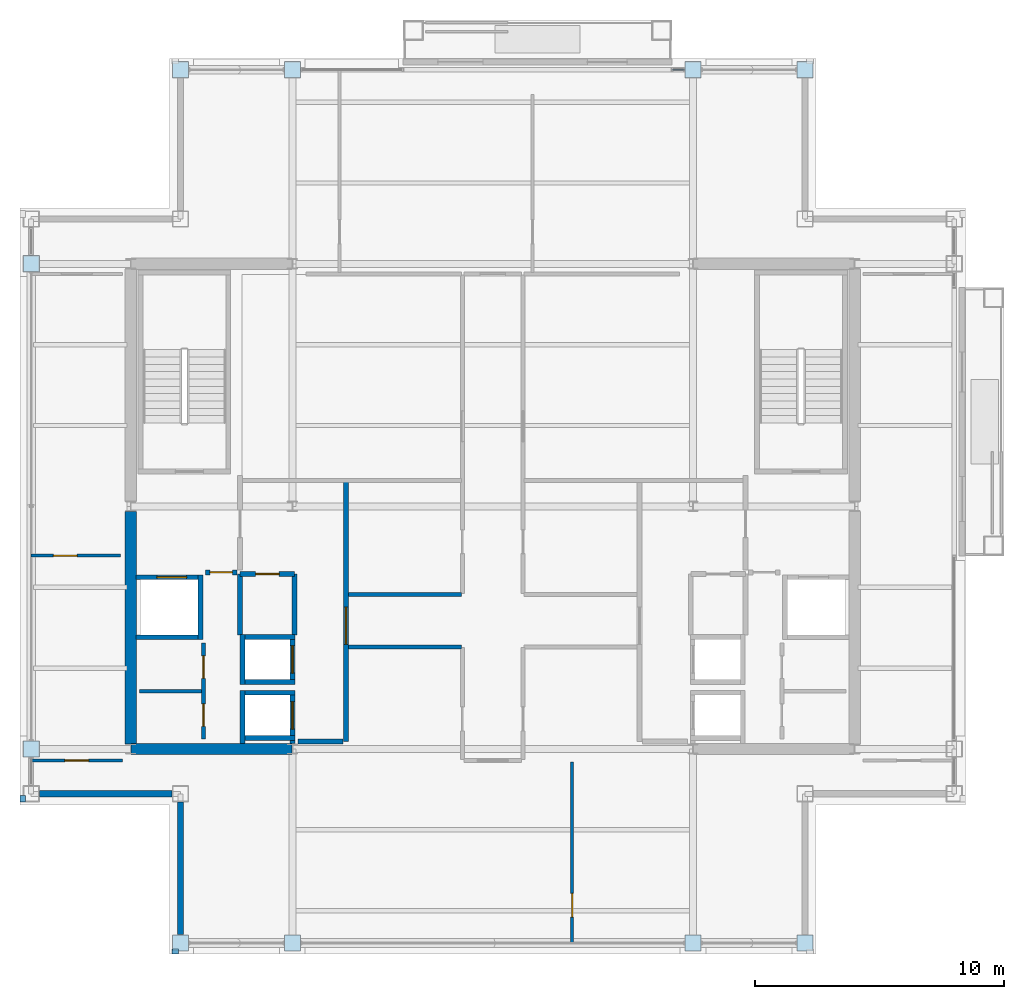
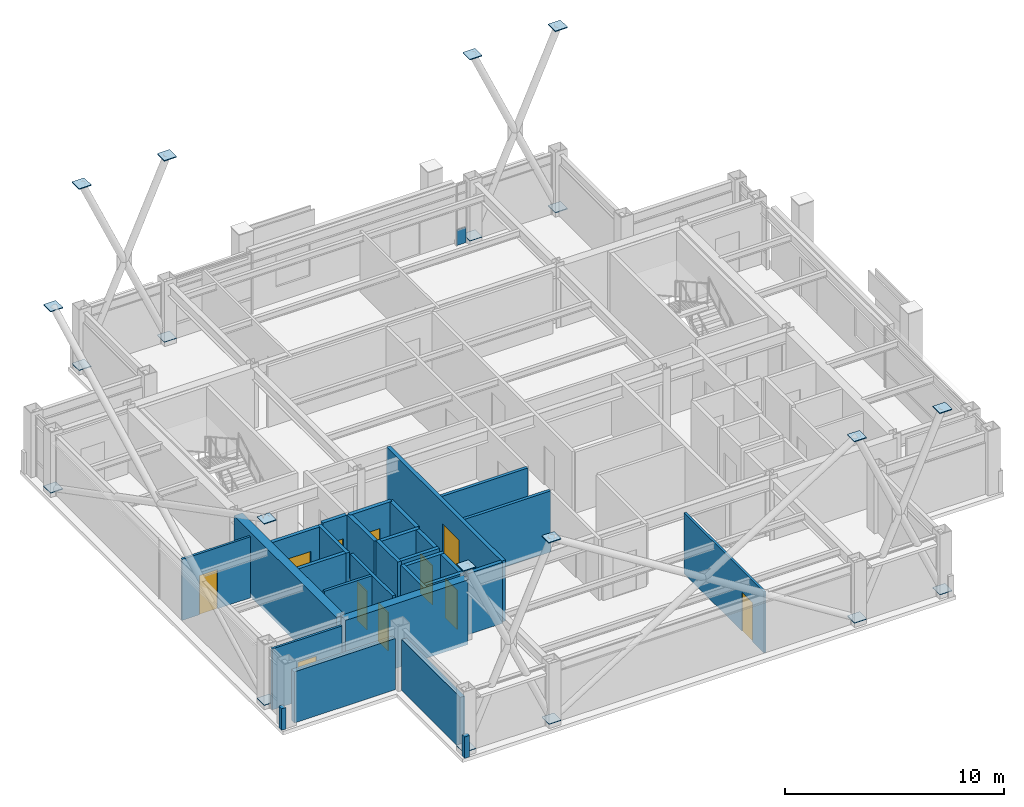
# One storey, part 23 of 28: 30 walls, 21 plates, 11 doors, 11 openings, 1 element without a shape of its own.
"""IFC4 building model written with IfcOpenShell, lengths in metres."""

from ifc_helpers import new_model, si_unit, direction, frame, frame_2d, origin, origin_2d, place, context, subcontext, project, spatial, rectangle, extrude, material, layer, layer_set, type_object, element, fill, aggregate, save


model = new_model("IFC4")

# Units and contexts
model_context = context("Model", 3, precision=1e-05, world=origin(), true_north=direction((0.0, 1.0)))
body_context = subcontext(model_context, "Body", "Model", "MODEL_VIEW")
ifc_project = project(units=[si_unit("LENGTHUNIT", "METRE"), si_unit("AREAUNIT", "SQUARE_METRE"), si_unit("VOLUMEUNIT", "CUBIC_METRE"), si_unit("PLANEANGLEUNIT", "RADIAN"), si_unit("MASSUNIT", "GRAM", prefix="KILO")], contexts=[model_context])

# Site, building, storey
site_placement = place(None, origin())
site = spatial("IfcSite", under=ifc_project, at=site_placement, CompositionType="ELEMENT")
building_placement = place(site_placement, origin())
building = spatial("IfcBuilding", under=site, at=building_placement, Name="Brelmoor Portico Tower", CompositionType="ELEMENT")
storey_placement = place(building_placement, frame((0.0, 0.0, 225.60009765625)))
storey = spatial("IfcBuildingStorey", under=building, at=storey_placement, Name="L59", CompositionType="ELEMENT", Elevation=225.60009765625)

# Plates
ifc_material_1 = material(Name="Steel Q355B", Category="steel")
ifc_layer_1 = layer(ifc_material_1, 0.044921875)
ifc_layer_set_1 = layer_set([ifc_layer_1], Name="Steel Q355B")
plate_type_1 = type_object("IfcPlateType", Name="PT-CAP-650", PredefinedType="SHEET", material=ifc_layer_set_1)
for number, where, z_axis, x_axis, name in (
    (1, (-12.550048828125, -17.550048828125, 0.2275390625), (0.0, 0.0, 1.0), (1.0, 0.0, 0.0), "L59 Continuous Mega-X Brace 133A Joint Cap Plate 1"),
    (2, (-8.050048828125, -17.550048828125, 10.327392578125), (0.0, 0.0, 1.0), (1.0, 0.0, 0.0), "L59 Continuous Mega-X Brace 133A Joint Cap Plate 2"),
    (3, (-8.050048828125, -17.550048828125, 0.2275390625), (0.0, 0.0, 1.0), (1.0, 0.0, 0.0), "L59 Split Mega-X Brace 133B1 Joint Cap Plate 1"),
    (4, (-12.550048828125, -17.550048828125, 10.327392578125), (0.0, 0.0, 1.0), (1.0, 0.0, 0.0), "L59 Split Mega-X Brace 133B2 Joint Cap Plate 2"),
    (5, (8.050048828125, -17.550048828125, 10.327392578125), (0.0, 0.0, 1.0), (1.0, 0.0, 0.0), "L59 Continuous Mega-X Brace 134A Joint Cap Plate 2"),
    (6, (8.050048828125, -17.550048828125, 0.2275390625), (0.0, 0.0, 1.0), (1.0, 0.0, 0.0), "L59 Split Mega-X Brace 134B1 Joint Cap Plate 1"),
    (7, (12.550048828125, -17.550048828125, 10.327392578125), (0.0, 0.0, 1.0), (1.0, 0.0, 0.0), "L59 Continuous Mega-X Brace 135A Joint Cap Plate 2"),
    (8, (12.550048828125, -17.550048828125, 0.2275390625), (0.0, 0.0, 1.0), (1.0, 0.0, 0.0), "L59 Split Mega-X Brace 135B1 Joint Cap Plate 1"),
    (9, (-12.550048828125, 17.550048828125, 0.2275390625), (0.0, 0.0, 1.0), (1.0, 0.0, 0.0), "L59 Continuous Mega-X Brace 136A Joint Cap Plate 1"),
    (10, (-8.050048828125, 17.550048828125, 10.327392578125), (0.0, 0.0, 1.0), (1.0, 0.0, 0.0), "L59 Continuous Mega-X Brace 136A Joint Cap Plate 2"),
    (11, (-8.050048828125, 17.550048828125, 0.2275390625), (0.0, 0.0, 1.0), (1.0, 0.0, 0.0), "L59 Split Mega-X Brace 136B1 Joint Cap Plate 1"),
    (12, (-12.550048828125, 17.550048828125, 10.327392578125), (0.0, 0.0, 1.0), (1.0, 0.0, 0.0), "L59 Split Mega-X Brace 136B2 Joint Cap Plate 2"),
    (13, (8.050048828125, 17.550048828125, 0.2275390625), (0.0, 0.0, 1.0), (1.0, 0.0, 0.0), "L59 Continuous Mega-X Brace 137A Joint Cap Plate 1"),
    (14, (12.550048828125, 17.550048828125, 10.327392578125), (0.0, 0.0, 1.0), (1.0, 0.0, 0.0), "L59 Continuous Mega-X Brace 137A Joint Cap Plate 2"),
    (15, (12.550048828125, 17.550048828125, 0.2275390625), (0.0, 0.0, 1.0), (1.0, 0.0, 0.0), "L59 Split Mega-X Brace 137B1 Joint Cap Plate 1"),
    (16, (8.050048828125, 17.550048828125, 10.327392578125), (0.0, 0.0, 1.0), (1.0, 0.0, 0.0), "L59 Split Mega-X Brace 137B2 Joint Cap Plate 2"),
    (17, (-18.550048828125, -9.75, 0.2275390625), (0.0, 0.0, 1.0), (1.0, 0.0, 0.0), "L59 Continuous Mega-X Brace 138A Joint Cap Plate 1"),
    (18, (-18.550048828125, 9.75, 10.327392578125), (0.0, 0.0, 1.0), (1.0, 0.0, 0.0), "L59 Continuous Mega-X Brace 138A Joint Cap Plate 2"),
    (19, (-18.550048828125, 9.75, 0.2275390625), (0.0, 0.0, 1.0), (1.0, 0.0, 0.0), "L59 Split Mega-X Brace 138B1 Joint Cap Plate 1"),
    (20, (-18.550048828125, -9.75, 10.327392578125), (0.0, 0.0, 1.0), (1.0, 0.0, 0.0), "L59 Split Mega-X Brace 138B2 Joint Cap Plate 2"),
):
    element("IfcPlate", number, at=place(storey_placement, frame(where, z_axis=z_axis, x_axis=x_axis)), inside=storey, type_object=plate_type_1, Name=name, PredefinedType="SHEET", context=body_context, shape_type="SweptSolid", body=[
        extrude(rectangle(XDim=0.64990234375, YDim=0.64990234375, at=origin_2d()), origin(), (0.0, 0.0, 1.0), 0.044921875),
    ])

# Curtain wall, plate
ifc_material_2 = material(Name="Anodised Aluminium Alloy 6063-T6", Category="aluminium")
ifc_layer_2 = layer(ifc_material_2, 0.179931640625)
ifc_layer_set_2 = layer_set([ifc_layer_2], Name="Anodised Aluminium Alloy 6063-T6")
curtain_wall_type = type_object("IfcCurtainWallType", Name="CW-TOWER-Z4", PredefinedType="NOTDEFINED", material=ifc_layer_set_2)
curtain_wall_placement = place(storey_placement, origin())
curtain_wall = element("IfcCurtainWall", 21, at=curtain_wall_placement, inside=storey, type_object=curtain_wall_type, Name="L59 Curtain Wall CW-L59-2R-1", PredefinedType="NOTDEFINED")
ifc_material_3 = material(Name="Pale Champagne Anodised Aluminium Panel", Category="aluminium")
ifc_layer_3 = layer(ifc_material_3, 0.050048828125)
ifc_layer_set_3 = layer_set([ifc_layer_3], Name="Pale Champagne Anodised Aluminium Panel")
plate_type_2 = type_object("IfcPlateType", Name="PT-CW-SPANDREL", PredefinedType="SHEET", material=ifc_layer_set_3)
plate_placement = place(storey_placement, frame((7.45751953125, 17.550048828125, -0.000244140625), z_axis=(0.0, 0.0, 1.0), x_axis=(1.0, 0.0, 0.0)))
plate = element("IfcPlate", 22, at=plate_placement, type_object=plate_type_2, Name="CW-L59-2R-1 Spandrel Panel 00", PredefinedType="SHEET", context=body_context, shape_type="SweptSolid", body=[
    extrude(rectangle(XDim=0.485107421875, YDim=0.050048828125, at=origin_2d()), origin(), (0.0, 0.0, 1.0), 0.85009765625),
])
aggregate(curtain_wall, [plate])

# Walls
ifc_material_4 = material(Name="Concrete C50", Category="concrete")
ifc_layer_4 = layer(ifc_material_4, 0.449951171875)
ifc_layer_set_4 = layer_set([ifc_layer_4], Name="Concrete C50")
wall_type_1 = type_object("IfcWallType", Name="WL-CORE-450", PredefinedType="SHEAR", material=ifc_layer_set_4)
wall_1_placement = place(storey_placement, frame((-14.530029296875, -9.75, -0.2001953125), z_axis=(0.0, 0.0, 1.0), x_axis=(1.0, 0.0, 0.0)))
element("IfcWall", 23, at=wall_1_placement, inside=storey, type_object=wall_type_1, Name="L59 WC South Shear Wall", PredefinedType="SHEAR", context=body_context, shape_type="SweptSolid", body=[
    extrude(rectangle(XDim=6.4599609375, YDim=0.449951171875, at=frame_2d((3.22998046875, 0.0))), origin(), (0.0, 0.0, 1.0), 3.60009765625),
])
wall_2_placement = place(storey_placement, frame((-14.550048828125, -9.550048828125, -0.2001953125), z_axis=(0.0, 0.0, 1.0), x_axis=(0.0, 1.0, 0.0)))
element("IfcWall", 24, at=wall_2_placement, inside=storey, type_object=wall_type_1, Name="L59 WC Outer South Shear Wall", PredefinedType="SHEAR", context=body_context, shape_type="SweptSolid", body=[
    extrude(rectangle(XDim=9.35009765625, YDim=0.449951171875, at=frame_2d((4.675048828125, 0.0))), origin(), (0.0, 0.0, 1.0), 3.60009765625),
])
ifc_material_5 = material(Name="Precast Concrete C40 Insulated Facade Wall", Category="concrete")
ifc_layer_5 = layer(ifc_material_5, 0.25)
ifc_layer_set_5 = layer_set([ifc_layer_5], Name="Precast Concrete C40 Insulated Facade Wall")
wall_type_2 = type_object("IfcWallType", Name="WL-EXT-250", PredefinedType="STANDARD", material=ifc_layer_set_5)
for number, where, z_axis, x_axis, name in (
    (25, (-18.215087890625, -11.550048828125, 0.0), (0.0, 0.0, 1.0), (1.0, 0.0, 0.0), "L59 Corner Notch Facade Wall NSWH1"),
    (26, (-12.550048828125, -17.215087890625, 0.0), (0.0, 0.0, 1.0), (0.0, 1.0, 0.0), "L59 Corner Notch Facade Wall NSWV1"),
):
    element("IfcWall", number, at=place(storey_placement, frame(where, z_axis=z_axis, x_axis=x_axis)), inside=storey, type_object=wall_type_2, Name=name, PredefinedType="STANDARD", context=body_context, shape_type="SweptSolid", body=[
        extrude(rectangle(XDim=5.330078125, YDim=0.25, at=frame_2d((2.6650390625, 0.0))), origin(), (0.0, 0.0, 1.0), 2.849853515625),
    ])
ifc_material_6 = material(Name="Concrete C40 Parapet Upstand", Category="concrete")
ifc_layer_6 = layer(ifc_material_6, 0.219970703125)
ifc_layer_set_6 = layer_set([ifc_layer_6], Name="Concrete C40 Parapet Upstand")
wall_type_3 = type_object("IfcWallType", Name="WL-PARAPET-220", PredefinedType="PARAPET", material=ifc_layer_set_6)
for number, where, z_axis, x_axis, name in (
    (27, (-12.889892578125, -17.889892578125, 0.0), (0.0, 0.0, 1.0), (1.0, 0.0, 0.0), "L59 Chamfer Vertex Parapet Pier SW1"),
    (28, (-18.889892578125, -11.889892578125, 0.0), (0.0, 0.0, 1.0), (0.0, 1.0, 0.0), "L59 Chamfer Vertex Parapet Pier SW2"),
):
    element("IfcWall", number, at=place(storey_placement, frame(where, z_axis=z_axis, x_axis=x_axis)), inside=storey, type_object=wall_type_3, Name=name, PredefinedType="PARAPET", context=body_context, shape_type="SweptSolid", body=[
        extrude(rectangle(XDim=0.269775390625, YDim=0.219970703125, at=frame_2d((0.134765625, 0.0))), origin(), (0.0, 0.0, 1.0), 1.199951171875),
    ])

# Wall, opening, door
ifc_material_7 = material(Name="Lightweight Gypsum Office Partition", Category="gypsum")
ifc_layer_7 = layer(ifc_material_7, 0.1201171875)
ifc_layer_set_7 = layer_set([ifc_layer_7], Name="Lightweight Gypsum Office Partition")
wall_type_4 = type_object("IfcWallType", Name="WL-PART-120", PredefinedType="PARTITIONING", material=ifc_layer_set_7)
wall_3_placement = place(storey_placement, frame((3.19482421875, -17.56005859375, 0.0), z_axis=(0.0, 0.0, 1.0), x_axis=(0.0, 1.0, 0.0)))
wall_3 = element("IfcWall", 29, at=wall_3_placement, inside=storey, type_object=wall_type_4, Name="L59 South Suite Partition 1", PredefinedType="PARTITIONING", context=body_context, shape_type="SweptSolid", body=[
    extrude(rectangle(XDim=7.2900390625, YDim=0.1201171875, at=frame_2d((3.64501953125, 0.0))), origin(), (0.0, 0.0, 1.0), 3.39990234375),
])
opening_1_placement = place(wall_3_placement, frame((1.050048828125, 0.0, 0.0)))
opening_1 = element("IfcOpeningElement", 30, at=opening_1_placement, cuts=wall_3, Name="Opening D-IN2", PredefinedType="OPENING", context=body_context, shape_type="SweptSolid", body=[
    extrude(rectangle(XDim=0.9599609375, YDim=2.179931640625, at=frame_2d((0.47998046875, 1.08984375))), frame((0.0, 0.070068359375, 0.0), z_axis=(0.0, -1.0, 0.0), x_axis=(1.0, 0.0, 0.0)), (0.0, 0.0, 1.0), 0.14013671875),
])
ifc_material_8 = material(Name="Lacquered Timber Suite Door", Category="wood")
door_type_1 = type_object("IfcDoorType", Name="DR-INT-950", OperationType="NOTDEFINED", PredefinedType="DOOR", material=ifc_material_8)
door_1_placement = place(opening_1_placement, origin())
door_1 = element("IfcDoor", 31, at=door_1_placement, inside=storey, type_object=door_type_1, Name="D-2458 L59 South Suite Connecting Door 1", OperationType="SINGLE_SWING_RIGHT", OverallHeight=2.179931640625, OverallWidth=0.9599609375, PredefinedType="DOOR", context=body_context, shape_type="SweptSolid", body=[
    extrude(rectangle(XDim=0.9599609375, YDim=2.179931640625, at=frame_2d((0.47998046875, 1.08984375))), frame((0.0, 0.02490234375, 0.0), z_axis=(0.0, -1.0, 0.0), x_axis=(1.0, 0.0, 0.0)), (0.0, 0.0, 1.0), 0.050048828125),
])
fill(opening_1, door_1)

wall_4_placement = place(storey_placement, frame((-18.56005859375, -10.2099609375, 0.0), z_axis=(0.0, 0.0, 1.0), x_axis=(1.0, 0.0, 0.0)))
wall_4 = element("IfcWall", 32, at=wall_4_placement, inside=storey, type_object=wall_type_4, Name="L59 South Wing Closure WL", PredefinedType="PARTITIONING", context=body_context, shape_type="SweptSolid", body=[
    extrude(rectangle(XDim=3.68017578125, YDim=0.1201171875, at=frame_2d((1.840087890625, 0.0))), origin(), (0.0, 0.0, 1.0), 3.39990234375),
])
opening_2_placement = place(wall_4_placement, frame((1.360107421875, 0.0, 0.0)))
opening_2 = element("IfcOpeningElement", 33, at=opening_2_placement, cuts=wall_4, Name="Opening D-IN2", PredefinedType="OPENING", context=body_context, shape_type="SweptSolid", body=[
    extrude(rectangle(XDim=0.9599609375, YDim=2.179931640625, at=frame_2d((0.47998046875, 1.08984375))), frame((0.0, 0.070068359375, 0.0), z_axis=(0.0, -1.0, 0.0), x_axis=(1.0, 0.0, 0.0)), (0.0, 0.0, 1.0), 0.14013671875),
])
door_2_placement = place(opening_2_placement, origin())
door_2 = element("IfcDoor", 34, at=door_2_placement, inside=storey, type_object=door_type_1, Name="D-2462 L59 WL Wing South Suite Door", OperationType="SINGLE_SWING_RIGHT", OverallHeight=2.179931640625, OverallWidth=0.9599609375, PredefinedType="DOOR", context=body_context, shape_type="SweptSolid", body=[
    extrude(rectangle(XDim=0.9599609375, YDim=2.179931640625, at=frame_2d((0.47998046875, 1.08984375))), frame((0.0, 0.02490234375, 0.0), z_axis=(0.0, -1.0, 0.0), x_axis=(1.0, 0.0, 0.0)), (0.0, 0.0, 1.0), 0.050048828125),
])
fill(opening_2, door_2)

wall_5_placement = place(storey_placement, frame((-18.56005859375, -1.98193359375, 0.0), z_axis=(0.0, 0.0, 1.0), x_axis=(1.0, 0.0, 0.0)))
wall_5 = element("IfcWall", 35, at=wall_5_placement, inside=storey, type_object=wall_type_4, Name="L59 W Wing Partition 1", PredefinedType="PARTITIONING", context=body_context, shape_type="SweptSolid", body=[
    extrude(rectangle(XDim=3.60009765625, YDim=0.1201171875, at=frame_2d((1.800048828125, 0.0))), origin(), (0.0, 0.0, 1.0), 3.39990234375),
])
opening_3_placement = place(wall_5_placement, frame((0.89990234375, 0.0, 0.0)))
opening_3 = element("IfcOpeningElement", 36, at=opening_3_placement, cuts=wall_5, Name="Opening D-IN2", PredefinedType="OPENING", context=body_context, shape_type="SweptSolid", body=[
    extrude(rectangle(XDim=0.9599609375, YDim=2.179931640625, at=frame_2d((0.47998046875, 1.08984375))), frame((0.0, 0.070068359375, 0.0), z_axis=(0.0, -1.0, 0.0), x_axis=(1.0, 0.0, 0.0)), (0.0, 0.0, 1.0), 0.14013671875),
])
door_3_placement = place(opening_3_placement, origin())
door_3 = element("IfcDoor", 37, at=door_3_placement, inside=storey, type_object=door_type_1, Name="D-2465 L59 W Wing Suite Connecting Door 1", OperationType="SINGLE_SWING_RIGHT", OverallHeight=2.179931640625, OverallWidth=0.9599609375, PredefinedType="DOOR", context=body_context, shape_type="SweptSolid", body=[
    extrude(rectangle(XDim=0.9599609375, YDim=2.179931640625, at=frame_2d((0.47998046875, 1.08984375))), frame((0.0, 0.02490234375, 0.0), z_axis=(0.0, -1.0, 0.0), x_axis=(1.0, 0.0, 0.0)), (0.0, 0.0, 1.0), 0.050048828125),
])
fill(opening_3, door_3)

# Wall
ifc_material_9 = material(Name="Insulated Stud Suite Partition", Category="gypsum")
ifc_layer_8 = layer(ifc_material_9, 0.139892578125)
ifc_layer_set_8 = layer_set([ifc_layer_8], Name="Insulated Stud Suite Partition")
wall_type_5 = type_object("IfcWallType", Name="WL-PART-140", PredefinedType="PARTITIONING", material=ifc_layer_set_8)
wall_6_placement = place(storey_placement, frame((-11.699951171875, -7.425048828125, 0.0), z_axis=(0.0, 0.0, 1.0), x_axis=(-1.0, 0.0, 0.0)))
element("IfcWall", 38, at=wall_6_placement, inside=storey, type_object=wall_type_5, Name="L59 W Core WC Divider 1", PredefinedType="PARTITIONING", context=body_context, shape_type="SweptSolid", body=[
    extrude(rectangle(XDim=2.5, YDim=0.139892578125, at=frame_2d((1.25, 0.0))), origin(), (0.0, 0.0, 1.0), 3.39990234375),
])

# Wall, openings, doors
ifc_material_10 = material(Name="Twin-Frame Acoustic Partition", Category="gypsum")
ifc_layer_9 = layer(ifc_material_10, 0.159912109375)
ifc_layer_set_9 = layer_set([ifc_layer_9], Name="Twin-Frame Acoustic Partition")
wall_type_6 = type_object("IfcWallType", Name="WL-PART-160", PredefinedType="PARTITIONING", material=ifc_layer_set_9)
wall_7_placement = place(storey_placement, frame((-11.6201171875, -9.35009765625, 0.0), z_axis=(0.0, 0.0, 1.0), x_axis=(0.0, 1.0, 0.0)))
wall_7 = element("IfcWall", 39, at=wall_7_placement, inside=storey, type_object=wall_type_6, Name="L59 W Core Service Front Wall", PredefinedType="PARTITIONING", context=body_context, shape_type="SweptSolid", body=[
    extrude(rectangle(XDim=3.85009765625, YDim=0.159912109375, at=frame_2d((1.925048828125, 0.0))), origin(), (0.0, 0.0, 1.0), 3.39990234375),
])
opening_4_placement = place(wall_7_placement, frame((0.512451171875, 0.0, 0.0)))
opening_4 = element("IfcOpeningElement", 40, at=opening_4_placement, cuts=wall_7, Name="Opening D-IN1", PredefinedType="OPENING", context=body_context, shape_type="SweptSolid", body=[
    extrude(rectangle(XDim=0.89990234375, YDim=2.14990234375, at=frame_2d((0.449951171875, 1.074951171875))), frame((0.0, 0.08984375, 0.0), z_axis=(0.0, -1.0, 0.0), x_axis=(1.0, 0.0, 0.0)), (0.0, 0.0, 1.0), 0.179931640625),
])
opening_5_placement = place(wall_7_placement, frame((2.4375, 0.0, 0.0)))
opening_5 = element("IfcOpeningElement", 41, at=opening_5_placement, cuts=wall_7, Name="Opening D-IN1", PredefinedType="OPENING", context=body_context, shape_type="SweptSolid", body=[
    extrude(rectangle(XDim=0.89990234375, YDim=2.14990234375, at=frame_2d((0.449951171875, 1.074951171875))), frame((0.0, 0.08984375, 0.0), z_axis=(0.0, -1.0, 0.0), x_axis=(1.0, 0.0, 0.0)), (0.0, 0.0, 1.0), 0.179931640625),
])
door_type_2 = type_object("IfcDoorType", Name="DR-INT-900", OperationType="NOTDEFINED", PredefinedType="DOOR", material=ifc_material_8)
door_4_placement = place(opening_4_placement, origin())
door_4 = element("IfcDoor", 42, at=door_4_placement, inside=storey, type_object=door_type_2, Name="D-2444 L59 W Accessible WC Door", OperationType="SINGLE_SWING_RIGHT", OverallHeight=2.14990234375, OverallWidth=0.89990234375, PredefinedType="DOOR", context=body_context, shape_type="SweptSolid", body=[
    extrude(rectangle(XDim=0.89990234375, YDim=2.14990234375, at=frame_2d((0.449951171875, 1.074951171875))), frame((0.0, 0.02490234375, 0.0), z_axis=(0.0, -1.0, 0.0), x_axis=(1.0, 0.0, 0.0)), (0.0, 0.0, 1.0), 0.050048828125),
])
fill(opening_4, door_4)
door_5_placement = place(opening_5_placement, origin())
door_5 = element("IfcDoor", 43, at=door_5_placement, inside=storey, type_object=door_type_2, Name="D-2445 L59 W Staff WC Door", OperationType="SINGLE_SWING_LEFT", OverallHeight=2.14990234375, OverallWidth=0.89990234375, PredefinedType="DOOR", context=body_context, shape_type="SweptSolid", body=[
    extrude(rectangle(XDim=0.89990234375, YDim=2.14990234375, at=frame_2d((0.449951171875, 1.074951171875))), frame((0.0, 0.02490234375, 0.0), z_axis=(0.0, -1.0, 0.0), x_axis=(1.0, 0.0, 0.0)), (0.0, 0.0, 1.0), 0.050048828125),
])
fill(opening_5, door_5)

# Walls
for number, where, z_axis, x_axis, name in (
    (44, (-5.800048828125, -3.550048828125, 0.0), (0.0, 0.0, 1.0), (1.0, 0.0, 0.0), "L59 West Pantry South Wall"),
    (45, (-5.800048828125, -5.64990234375, 0.0), (0.0, 0.0, 1.0), (1.0, 0.0, 0.0), "L59 South-West Chamber Top Wall"),
):
    element("IfcWall", number, at=place(storey_placement, frame(where, z_axis=z_axis, x_axis=x_axis)), inside=storey, type_object=wall_type_6, Name=name, PredefinedType="PARTITIONING", context=body_context, shape_type="SweptSolid", body=[
        extrude(rectangle(XDim=4.5400390625, YDim=0.159912109375, at=frame_2d((2.27001953125, 0.0))), origin(), (0.0, 0.0, 1.0), 3.39990234375),
    ])

# Wall, opening, door
ifc_material_11 = material(Name="Double-Stud Gypsum Fire Partition", Category="gypsum")
ifc_layer_10 = layer(ifc_material_11, 0.199951171875)
ifc_layer_set_10 = layer_set([ifc_layer_10], Name="Double-Stud Gypsum Fire Partition")
wall_type_7 = type_object("IfcWallType", Name="WL-PART-200", PredefinedType="PARTITIONING", material=ifc_layer_set_10)
wall_8_placement = place(storey_placement, frame((-5.89990234375, -9.449951171875, 0.0), z_axis=(0.0, 0.0, 1.0), x_axis=(0.0, 1.0, 0.0)))
wall_8 = element("IfcWall", 46, at=wall_8_placement, inside=storey, type_object=wall_type_7, Name="L59 W Core Lobby Compartment Wall", PredefinedType="PARTITIONING", context=body_context, shape_type="SweptSolid", body=[
    extrude(rectangle(XDim=10.5, YDim=0.199951171875, at=frame_2d((5.25, 0.0))), origin(), (0.0, 0.0, 1.0), 3.39990234375),
])
opening_6_placement = place(wall_8_placement, frame((3.89990234375, 0.0, 0.0)))
opening_6 = element("IfcOpeningElement", 47, at=opening_6_placement, cuts=wall_8, Name="Opening D-LB1", PredefinedType="OPENING", context=body_context, shape_type="SweptSolid", body=[
    extrude(rectangle(XDim=1.5, YDim=2.199951171875, at=frame_2d((0.75, 1.10009765625))), frame((0.0, 0.10986328125, 0.0), z_axis=(0.0, -1.0, 0.0), x_axis=(1.0, 0.0, 0.0)), (0.0, 0.0, 1.0), 0.219970703125),
])
ifc_material_12 = material(Name="Double-Leaf Glazed Steel Fire Door", Category="steel")
door_type_3 = type_object("IfcDoorType", Name="DR-LOBBY-1500", OperationType="NOTDEFINED", PredefinedType="DOOR", material=ifc_material_12)
door_6_placement = place(opening_6_placement, origin())
door_6 = element("IfcDoor", 48, at=door_6_placement, inside=storey, type_object=door_type_3, Name="D-2451 L59 W Lift Lobby Main Door", OperationType="DOUBLE_DOOR_SINGLE_SWING", OverallHeight=2.199951171875, OverallWidth=1.5, PredefinedType="DOOR", context=body_context, shape_type="SweptSolid", body=[
    extrude(rectangle(XDim=1.5, YDim=2.199951171875, at=frame_2d((0.75, 1.10009765625))), frame((0.0, 0.02490234375, 0.0), z_axis=(0.0, -1.0, 0.0), x_axis=(1.0, 0.0, 0.0)), (0.0, 0.0, 1.0), 0.050048828125),
])
fill(opening_6, door_6)

# Wall
wall_9_placement = place(storey_placement, frame((-6.02001953125, -9.449951171875, 0.0), z_axis=(0.0, 0.0, 1.0), x_axis=(-1.0, 0.0, 0.0)))
element("IfcWall", 49, at=wall_9_placement, inside=storey, type_object=wall_type_7, Name="L59 W Lift Lobby South End Wall", PredefinedType="PARTITIONING", context=body_context, shape_type="SweptSolid", body=[
    extrude(rectangle(XDim=1.800048828125, YDim=0.199951171875, at=frame_2d((0.89990234375, 0.0))), origin(), (0.0, 0.0, 1.0), 3.39990234375),
])

# Wall, opening, door
wall_10_placement = place(storey_placement, frame((-10.280029296875, -2.64990234375, 0.0), z_axis=(0.0, 0.0, 1.0), x_axis=(-1.0, 0.0, 0.0)))
wall_10 = element("IfcWall", 50, at=wall_10_placement, inside=storey, type_object=wall_type_7, Name="L59 W Firefighting Lobby South Wall", PredefinedType="PARTITIONING", context=body_context, shape_type="SweptSolid", body=[
    extrude(rectangle(XDim=1.27001953125, YDim=0.199951171875, at=frame_2d((0.635009765625, 0.0))), origin(), (0.0, 0.0, 1.0), 3.39990234375),
])
opening_7_placement = place(wall_10_placement, frame((0.18505859375, 0.0, 0.0)))
opening_7 = element("IfcOpeningElement", 51, at=opening_7_placement, cuts=wall_10, Name="Opening D-IN1", PredefinedType="OPENING", context=body_context, shape_type="SweptSolid", body=[
    extrude(rectangle(XDim=0.89990234375, YDim=2.14990234375, at=frame_2d((0.449951171875, 1.074951171875))), frame((0.0, 0.10986328125, 0.0), z_axis=(0.0, -1.0, 0.0), x_axis=(1.0, 0.0, 0.0)), (0.0, 0.0, 1.0), 0.219970703125),
])
door_7_placement = place(opening_7_placement, origin())
door_7 = element("IfcDoor", 52, at=door_7_placement, inside=storey, type_object=door_type_2, Name="D-2443 L59 W Core Service Vestibule Door", OperationType="SINGLE_SWING_RIGHT", OverallHeight=2.14990234375, OverallWidth=0.89990234375, PredefinedType="DOOR", context=body_context, shape_type="SweptSolid", body=[
    extrude(rectangle(XDim=0.89990234375, YDim=2.14990234375, at=frame_2d((0.449951171875, 1.074951171875))), frame((0.0, 0.02490234375, 0.0), z_axis=(0.0, -1.0, 0.0), x_axis=(1.0, 0.0, 0.0)), (0.0, 0.0, 1.0), 0.050048828125),
])
fill(opening_7, door_7)

wall_11_placement = place(storey_placement, frame((-7.9599609375, -2.719970703125, 0.0), z_axis=(0.0, 0.0, 1.0), x_axis=(-1.0, 0.0, 0.0)))
wall_11 = element("IfcWall", 53, at=wall_11_placement, inside=storey, type_object=wall_type_7, Name="L59 W Electrical Switchgear Closet Wall", PredefinedType="PARTITIONING", context=body_context, shape_type="SweptSolid", body=[
    extrude(rectangle(XDim=2.199951171875, YDim=0.199951171875, at=frame_2d((1.10009765625, 0.0))), origin(), (0.0, 0.0, 1.0), 3.39990234375),
])
opening_8_placement = place(wall_11_placement, frame((0.6201171875, 0.0, 0.0)))
opening_8 = element("IfcOpeningElement", 54, at=opening_8_placement, cuts=wall_11, Name="Opening D-FR4", PredefinedType="OPENING", context=body_context, shape_type="SweptSolid", body=[
    extrude(rectangle(XDim=0.949951171875, YDim=2.10009765625, at=frame_2d((0.47509765625, 1.050048828125))), frame((0.0, 0.10986328125, 0.0), z_axis=(0.0, -1.0, 0.0), x_axis=(1.0, 0.0, 0.0)), (0.0, 0.0, 1.0), 0.219970703125),
])
ifc_material_13 = material(Name="Painted Galvanised Steel Riser Door", Category="steel")
door_type_4 = type_object("IfcDoorType", Name="DR-FIRE-950", OperationType="NOTDEFINED", PredefinedType="DOOR", material=ifc_material_13)
door_8_placement = place(opening_8_placement, origin())
door_8 = element("IfcDoor", 55, at=door_8_placement, inside=storey, type_object=door_type_4, Name="D-2447 L59 W Electrical Switchgear Closet Door", OperationType="SINGLE_SWING_LEFT", OverallHeight=2.10009765625, OverallWidth=0.949951171875, PredefinedType="DOOR", context=body_context, shape_type="SweptSolid", body=[
    extrude(rectangle(XDim=0.949951171875, YDim=2.10009765625, at=frame_2d((0.47509765625, 1.050048828125))), frame((0.0, 0.02490234375, 0.0), z_axis=(0.0, -1.0, 0.0), x_axis=(1.0, 0.0, 0.0)), (0.0, 0.0, 1.0), 0.050048828125),
])
fill(opening_8, door_8)

# Walls
for number, where, z_axis, x_axis, name in (
    (56, (-7.9599609375, -5.159912109375, 0.0), (0.0, 0.0, 1.0), (0.0, 1.0, 0.0), "L59 W Electrical Switchgear Closet Inner Wall"),
    (57, (-10.159912109375, -5.159912109375, 0.0), (0.0, 0.0, 1.0), (0.0, 1.0, 0.0), "L59 W Electrical Switchgear Closet Outer Wall"),
):
    element("IfcWall", number, at=place(storey_placement, frame(where, z_axis=z_axis, x_axis=x_axis)), inside=storey, type_object=wall_type_7, Name=name, PredefinedType="PARTITIONING", context=body_context, shape_type="SweptSolid", body=[
        extrude(rectangle(XDim=2.43994140625, YDim=0.199951171875, at=frame_2d((1.219970703125, 0.0))), origin(), (0.0, 0.0, 1.0), 3.39990234375),
    ])

# Wall, opening, door
ifc_material_14 = material(Name="Precast Concrete C40", Category="concrete")
ifc_layer_11 = layer(ifc_material_14, 0.18994140625)
ifc_layer_set_11 = layer_set([ifc_layer_11], Name="Precast Concrete C40")
wall_type_8 = type_object("IfcWallType", Name="WL-SHAFT-180", PredefinedType="SOLIDWALL", material=ifc_layer_set_11)
wall_12_placement = place(storey_placement, frame((-8.044921875, -9.52001953125, -0.2001953125), z_axis=(0.0, 0.0, 1.0), x_axis=(0.0, 1.0, 0.0)))
wall_12 = element("IfcWall", 58, at=wall_12_placement, inside=storey, type_object=wall_type_8, Name="L59 Lift PH1 Hoistway Front Wall", PredefinedType="SOLIDWALL", context=body_context, shape_type="SweptSolid", body=[
    extrude(rectangle(XDim=2.1201171875, YDim=0.18994140625, at=frame_2d((1.06005859375, 0.0))), origin(), (0.0, 0.0, 1.0), 3.60009765625),
])
opening_9_placement = place(wall_12_placement, frame((0.570068359375, 0.0, 0.199951171875)))
opening_9 = element("IfcOpeningElement", 59, at=opening_9_placement, cuts=wall_12, Name="Opening LD-01", PredefinedType="OPENING", context=body_context, shape_type="SweptSolid", body=[
    extrude(rectangle(XDim=1.10009765625, YDim=2.199951171875, at=frame_2d((0.550048828125, 1.10009765625))), frame((0.0, 0.10498046875, 0.0), z_axis=(0.0, -1.0, 0.0), x_axis=(1.0, 0.0, 0.0)), (0.0, 0.0, 1.0), 0.2099609375),
])
ifc_material_15 = material(Name="Brushed Stainless Steel Sliding Lift Door", Category="steel")
door_type_5 = type_object("IfcDoorType", Name="DR-LIFT-1100", OperationType="NOTDEFINED", PredefinedType="DOOR", material=ifc_material_15)
door_9_placement = place(opening_9_placement, origin())
door_9 = element("IfcDoor", 60, at=door_9_placement, inside=storey, type_object=door_type_5, Name="D-2468 L59 Lift PH1 Sliding Landing Door", OperationType="SLIDING_TO_LEFT", OverallHeight=2.199951171875, OverallWidth=1.10009765625, PredefinedType="DOOR", context=body_context, shape_type="SweptSolid", body=[
    extrude(rectangle(XDim=1.10009765625, YDim=2.199951171875, at=frame_2d((0.550048828125, 1.10009765625))), frame((0.0, 0.02490234375, 0.0), z_axis=(0.0, -1.0, 0.0), x_axis=(1.0, 0.0, 0.0)), (0.0, 0.0, 1.0), 0.050048828125),
])
fill(opening_9, door_9)

# Walls
wall_13_placement = place(storey_placement, frame((-10.054931640625, -9.52001953125, -0.2001953125), z_axis=(0.0, 0.0, 1.0), x_axis=(0.0, 1.0, 0.0)))
element("IfcWall", 61, at=wall_13_placement, inside=storey, type_object=wall_type_8, Name="L59 Lift PH1 Hoistway Back Wall", PredefinedType="SOLIDWALL", context=body_context, shape_type="SweptSolid", body=[
    extrude(rectangle(XDim=2.1201171875, YDim=0.18994140625, at=frame_2d((1.06005859375, 0.0))), origin(), (0.0, 0.0, 1.0), 3.60009765625),
])
for number, where, z_axis, x_axis, name in (
    (62, (-10.14990234375, -7.4951171875, -0.2001953125), (0.0, 0.0, 1.0), (1.0, 0.0, 0.0), "L59 Lift PH1 Hoistway North Wall"),
    (63, (-10.14990234375, -9.304931640625, -0.2001953125), (0.0, 0.0, 1.0), (1.0, 0.0, 0.0), "L59 Lift PH1 Hoistway South Wall"),
):
    element("IfcWall", number, at=place(storey_placement, frame(where, z_axis=z_axis, x_axis=x_axis)), inside=storey, type_object=wall_type_8, Name=name, PredefinedType="SOLIDWALL", context=body_context, shape_type="SweptSolid", body=[
        extrude(rectangle(XDim=2.199951171875, YDim=0.18994140625, at=frame_2d((1.10009765625, 0.0))), origin(), (0.0, 0.0, 1.0), 3.60009765625),
    ])

# Wall, opening, door
wall_14_placement = place(storey_placement, frame((-8.044921875, -7.14990234375, -0.2001953125), z_axis=(0.0, 0.0, 1.0), x_axis=(0.0, 1.0, 0.0)))
wall_14 = element("IfcWall", 64, at=wall_14_placement, inside=storey, type_object=wall_type_8, Name="L59 Lift PH2 Hoistway Front Wall", PredefinedType="SOLIDWALL", context=body_context, shape_type="SweptSolid", body=[
    extrude(rectangle(XDim=2.0, YDim=0.18994140625, at=frame_2d((1.0, 0.0))), origin(), (0.0, 0.0, 1.0), 3.60009765625),
])
opening_10_placement = place(wall_14_placement, frame((0.449951171875, 0.0, 0.199951171875)))
opening_10 = element("IfcOpeningElement", 65, at=opening_10_placement, cuts=wall_14, Name="Opening LD-01", PredefinedType="OPENING", context=body_context, shape_type="SweptSolid", body=[
    extrude(rectangle(XDim=1.10009765625, YDim=2.199951171875, at=frame_2d((0.550048828125, 1.10009765625))), frame((0.0, 0.10498046875, 0.0), z_axis=(0.0, -1.0, 0.0), x_axis=(1.0, 0.0, 0.0)), (0.0, 0.0, 1.0), 0.2099609375),
])
door_10_placement = place(opening_10_placement, origin())
door_10 = element("IfcDoor", 66, at=door_10_placement, inside=storey, type_object=door_type_5, Name="D-2469 L59 Lift PH2 Sliding Landing Door", OperationType="SLIDING_TO_LEFT", OverallHeight=2.199951171875, OverallWidth=1.10009765625, PredefinedType="DOOR", context=body_context, shape_type="SweptSolid", body=[
    extrude(rectangle(XDim=1.10009765625, YDim=2.199951171875, at=frame_2d((0.550048828125, 1.10009765625))), frame((0.0, 0.02490234375, 0.0), z_axis=(0.0, -1.0, 0.0), x_axis=(1.0, 0.0, 0.0)), (0.0, 0.0, 1.0), 0.050048828125),
])
fill(opening_10, door_10)

# Walls
wall_15_placement = place(storey_placement, frame((-10.054931640625, -7.14990234375, -0.2001953125), z_axis=(0.0, 0.0, 1.0), x_axis=(0.0, 1.0, 0.0)))
element("IfcWall", 67, at=wall_15_placement, inside=storey, type_object=wall_type_8, Name="L59 Lift PH2 Hoistway Back Wall", PredefinedType="SOLIDWALL", context=body_context, shape_type="SweptSolid", body=[
    extrude(rectangle(XDim=2.0, YDim=0.18994140625, at=frame_2d((1.0, 0.0))), origin(), (0.0, 0.0, 1.0), 3.60009765625),
])
for number, where, z_axis, x_axis, name in (
    (68, (-10.14990234375, -5.2451171875, -0.2001953125), (0.0, 0.0, 1.0), (1.0, 0.0, 0.0), "L59 Lift PH2 Hoistway North Wall"),
    (69, (-10.14990234375, -7.054931640625, -0.2001953125), (0.0, 0.0, 1.0), (1.0, 0.0, 0.0), "L59 Lift PH2 Hoistway South Wall"),
):
    element("IfcWall", number, at=place(storey_placement, frame(where, z_axis=z_axis, x_axis=x_axis)), inside=storey, type_object=wall_type_8, Name=name, PredefinedType="SOLIDWALL", context=body_context, shape_type="SweptSolid", body=[
        extrude(rectangle(XDim=2.199951171875, YDim=0.18994140625, at=frame_2d((1.10009765625, 0.0))), origin(), (0.0, 0.0, 1.0), 3.60009765625),
    ])

# Wall, opening, door
wall_16_placement = place(storey_placement, frame((-14.330078125, -2.844970703125, -0.2001953125), z_axis=(0.0, 0.0, 1.0), x_axis=(1.0, 0.0, 0.0)))
wall_16 = element("IfcWall", 70, at=wall_16_placement, inside=storey, type_object=wall_type_8, Name="L59 Lift FF1 Hoistway Front Wall", PredefinedType="SOLIDWALL", context=body_context, shape_type="SweptSolid", body=[
    extrude(rectangle(XDim=2.68017578125, YDim=0.18994140625, at=frame_2d((1.340087890625, 0.0))), origin(), (0.0, 0.0, 1.0), 3.60009765625),
])
opening_11_placement = place(wall_16_placement, frame((0.830078125, 0.0, 0.199951171875)))
opening_11 = element("IfcOpeningElement", 71, at=opening_11_placement, cuts=wall_16, Name="Opening LD-02", PredefinedType="OPENING", context=body_context, shape_type="SweptSolid", body=[
    extrude(rectangle(XDim=1.199951171875, YDim=2.199951171875, at=frame_2d((0.60009765625, 1.10009765625))), frame((0.0, 0.10498046875, 0.0), z_axis=(0.0, -1.0, 0.0), x_axis=(1.0, 0.0, 0.0)), (0.0, 0.0, 1.0), 0.2099609375),
])
ifc_material_16 = material(Name="Brushed Stainless Steel Firefighting Lift Door", Category="steel")
door_type_6 = type_object("IfcDoorType", Name="DR-LIFT-1200", OperationType="NOTDEFINED", PredefinedType="DOOR", material=ifc_material_16)
door_11_placement = place(opening_11_placement, origin())
door_11 = element("IfcDoor", 72, at=door_11_placement, inside=storey, type_object=door_type_6, Name="D-2466 L59 Lift FF1 Sliding Landing Door", OperationType="SLIDING_TO_LEFT", OverallHeight=2.199951171875, OverallWidth=1.199951171875, PredefinedType="DOOR", context=body_context, shape_type="SweptSolid", body=[
    extrude(rectangle(XDim=1.199951171875, YDim=2.199951171875, at=frame_2d((0.60009765625, 1.10009765625))), frame((0.0, 0.02490234375, 0.0), z_axis=(0.0, -1.0, 0.0), x_axis=(1.0, 0.0, 0.0)), (0.0, 0.0, 1.0), 0.050048828125),
])
fill(opening_11, door_11)

# Walls
wall_17_placement = place(storey_placement, frame((-14.330078125, -5.2548828125, -0.2001953125), z_axis=(0.0, 0.0, 1.0), x_axis=(1.0, 0.0, 0.0)))
element("IfcWall", 73, at=wall_17_placement, inside=storey, type_object=wall_type_8, Name="L59 Firefighting Lift FF1 South Wall", PredefinedType="SOLIDWALL", context=body_context, shape_type="SweptSolid", body=[
    extrude(rectangle(XDim=2.68017578125, YDim=0.18994140625, at=frame_2d((1.340087890625, 0.0))), origin(), (0.0, 0.0, 1.0), 3.60009765625),
])
wall_18_placement = place(storey_placement, frame((-11.7451171875, -5.35009765625, -0.2001953125), z_axis=(0.0, 0.0, 1.0), x_axis=(0.0, 1.0, 0.0)))
element("IfcWall", 74, at=wall_18_placement, inside=storey, type_object=wall_type_8, Name="L59 Firefighting Lift FF1 Inner Wall", PredefinedType="SOLIDWALL", context=body_context, shape_type="SweptSolid", body=[
    extrude(rectangle(XDim=2.60009765625, YDim=0.18994140625, at=frame_2d((1.300048828125, 0.0))), origin(), (0.0, 0.0, 1.0), 3.60009765625),
])

save(model, "model.ifc")
